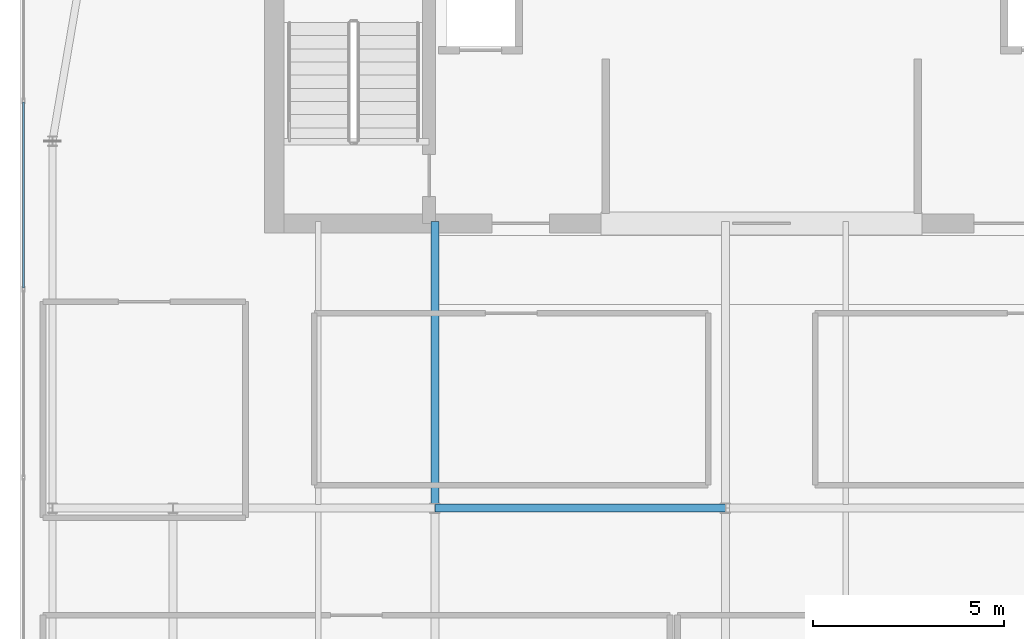
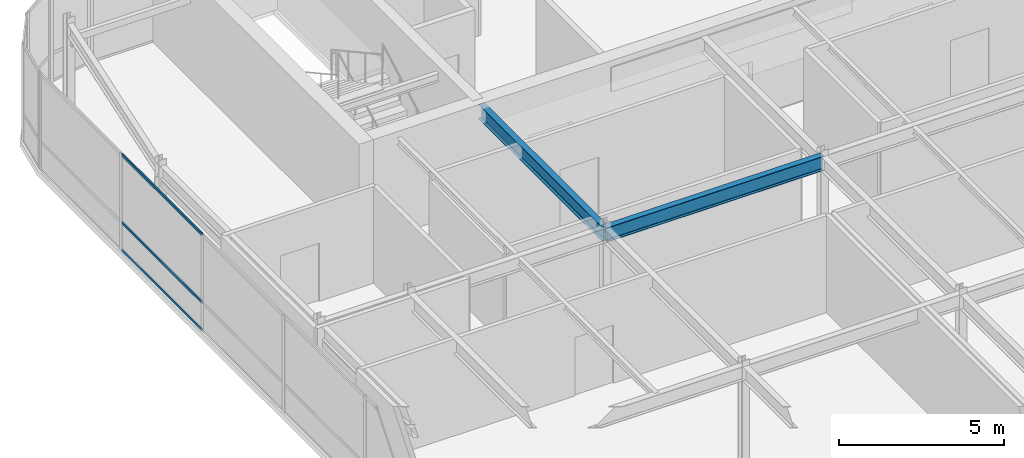
# One storey, part 18 of 36: 3 members, 2 beams, 1 element without a shape of its own.
"""IFC4 building model written with IfcOpenShell, lengths in metres."""

import ifcopenshell
import ifcopenshell.guid

model = None  # the IFC model being written
_history = None  # IfcOwnerHistory: only IFC2X3 demands one
_inside = {}  # id of a spatial element -> (the spatial element, [elements in it])
_under = {}  # id of a project, library or spatial element -> (it, [spatial elements below it])
_declared = {}  # id of a project -> (the project, [libraries it declares])
_typed = {}  # id of a type object -> (the type object, [elements of that type])
_made_of = {}  # id of a material, layer set ... -> (it, [elements and type objects made of it])


def new_model(schema):
    """Start an empty IFC model of exactly this schema.

    Asked for "IFC4X3", IfcOpenShell would pick the latest addendum, in which some entities
    have other attributes; the version numbers below select the first issue.
    IFC2X3 requires an IfcOwnerHistory on every rooted entity: one is made here for all.
    """
    global model, _history
    if schema == "IFC4X3":
        model = ifcopenshell.file(schema_version=(4, 3, 0, 0))
    else:
        model = ifcopenshell.file(schema=schema)
    _inside.clear()
    _under.clear()
    _declared.clear()
    _typed.clear()
    _made_of.clear()
    _history = None
    if model.schema == "IFC2X3":
        org = make("IfcOrganization", Name="unknown")
        user = make(
            "IfcPersonAndOrganization",
            ThePerson=make("IfcPerson", FamilyName="unknown"),
            TheOrganization=org,
        )
        app = make(
            "IfcApplication",
            ApplicationDeveloper=org,
            Version="unknown",
            ApplicationFullName="unknown",
            ApplicationIdentifier="unknown",
        )
        _history = make(
            "IfcOwnerHistory",
            OwningUser=user,
            OwningApplication=app,
            ChangeAction="ADDED",
            CreationDate=0,
        )
    return model


def make(cls, **values):
    """One entity of the class cls with the attributes given. An attribute that is None is left unset."""
    return model.create_entity(
        cls, **{name: value for name, value in values.items() if value is not None}
    )


def rooted(cls, **values):
    """An entity with a GlobalId (a new one), such as an element, a storey or a relation."""
    return make(cls, GlobalId=ifcopenshell.guid.new(), OwnerHistory=_history, **values)


def si_unit(unit_type, name, prefix=None):
    """IfcSIUnit, for example si_unit("LENGTHUNIT", "METRE", prefix="MILLI")."""
    return make("IfcSIUnit", UnitType=unit_type, Prefix=prefix, Name=name)


def assignment(units):
    """IfcUnitAssignment: the units of a project."""
    return None if units is None else make("IfcUnitAssignment", Units=units)


def point(xyz):
    """IfcCartesianPoint."""
    return None if xyz is None else make("IfcCartesianPoint", Coordinates=xyz)


def direction(xyz):
    """IfcDirection."""
    return None if xyz is None else make("IfcDirection", DirectionRatios=xyz)


def frame(location, z_axis=None, x_axis=None):
    """IfcAxis2Placement3D, a coordinate frame: its origin and axes. An axis left out is left unset."""
    return make(
        "IfcAxis2Placement3D",
        Location=point(location),
        Axis=direction(z_axis),
        RefDirection=direction(x_axis),
    )


def frame_2d(location, x_axis=None):
    """IfcAxis2Placement2D, a coordinate frame in the plane: its origin and x axis."""
    return make(
        "IfcAxis2Placement2D", Location=point(location), RefDirection=direction(x_axis)
    )


def origin():
    """The frame at (0, 0, 0) with its axes left unset."""
    return frame((0.0, 0.0, 0.0))


def origin_2d():
    """The frame at (0, 0) in the plane with its x axis left unset."""
    return frame_2d((0.0, 0.0))


def place(relative_to, where):
    """IfcLocalPlacement: puts the frame where relative to a parent placement (None: the world)."""
    return make(
        "IfcLocalPlacement", PlacementRelTo=relative_to, RelativePlacement=where
    )


def context(
    kind, dimensions, precision=None, world=None, true_north=None, identifier=None
):
    """IfcGeometricRepresentationContext, for example the 3D "Model" context."""
    return make(
        "IfcGeometricRepresentationContext",
        ContextIdentifier=identifier,
        ContextType=kind,
        CoordinateSpaceDimension=dimensions,
        Precision=precision,
        WorldCoordinateSystem=world,
        TrueNorth=true_north,
    )


def subcontext(parent, identifier, kind, view, scale=None):
    """IfcGeometricRepresentationSubContext, for example "Body" below "Model"."""
    return make(
        "IfcGeometricRepresentationSubContext",
        ContextIdentifier=identifier,
        ContextType=kind,
        ParentContext=parent,
        TargetScale=scale,
        TargetView=view,
    )


def project(units=None, contexts=None):
    """IfcProject with its units and contexts."""
    return rooted(
        "IfcProject",
        Name="project",
        RepresentationContexts=contexts,
        UnitsInContext=assignment(units),
    )


def spatial(cls, under=None, at=None, **own):
    """A site, building, storey or space (cls), placed at a placement, below another one or the project."""
    s = rooted(cls, ObjectPlacement=at, **own)
    if under is not None:
        _under.setdefault(under.id(), (under, []))[1].append(s)
    return s


def profile(cls, at=None, kind="AREA", **sizes):
    """A parametric profile (cls). Its sizes go by their IFC names, for example OverallWidth=200.0."""
    return make(cls, ProfileType=kind, Position=at, **sizes)


def hollow_rectangle(**sizes):
    """IfcRectangleHollowProfileDef."""
    return profile("IfcRectangleHollowProfileDef", **sizes)


def i_section(**sizes):
    """IfcIShapeProfileDef."""
    return profile("IfcIShapeProfileDef", **sizes)


def extrude(swept, where, along, depth):
    """IfcExtrudedAreaSolid: the profile swept, set in the frame where, extruded along a direction by depth."""
    return make(
        "IfcExtrudedAreaSolid",
        SweptArea=swept,
        Position=where,
        ExtrudedDirection=direction(along),
        Depth=depth,
    )


def shape(context_of_items, identifier, shape_type, items):
    """IfcShapeRepresentation: the items that make up one representation, for example the "Body"."""
    return make(
        "IfcShapeRepresentation",
        ContextOfItems=context_of_items,
        RepresentationIdentifier=identifier,
        RepresentationType=shape_type,
        Items=items,
    )


def source(mapping_origin, context_of_items, identifier, shape_type, items):
    """IfcRepresentationMap: a shape defined once, which mapped items show again and again."""
    return make(
        "IfcRepresentationMap",
        MappingOrigin=mapping_origin,
        MappedRepresentation=shape(context_of_items, identifier, shape_type, items),
    )


def transform(
    local_origin,
    x_axis=None,
    y_axis=None,
    z_axis=None,
    scale=None,
    scale2=None,
    scale3=None,
    uniform=True,
):
    """IfcCartesianTransformationOperator3D, or its non-uniform kind. x_axis, y_axis, z_axis: its Axis1, 2, 3."""
    if uniform:
        return make(
            "IfcCartesianTransformationOperator3D",
            Axis1=direction(x_axis),
            Axis2=direction(y_axis),
            LocalOrigin=point(local_origin),
            Scale=scale,
            Axis3=direction(z_axis),
        )
    return make(
        "IfcCartesianTransformationOperator3DnonUniform",
        Axis1=direction(x_axis),
        Axis2=direction(y_axis),
        LocalOrigin=point(local_origin),
        Scale=scale,
        Axis3=direction(z_axis),
        Scale2=scale2,
        Scale3=scale3,
    )


def mapped(mapping_source, mapping_target):
    """IfcMappedItem: shows the shape of a source again, moved by a transform."""
    return make(
        "IfcMappedItem", MappingSource=mapping_source, MappingTarget=mapping_target
    )


def material(Name=None, Category=None):
    """IfcMaterial."""
    return make("IfcMaterial", Name=Name, Category=Category)


def layer(
    of_material, thickness, ventilated=None, Name=None, Category=None, Priority=None
):
    """IfcMaterialLayer: one layer of a wall or slab, of a material (None: an air gap)."""
    return make(
        "IfcMaterialLayer",
        Material=of_material,
        LayerThickness=thickness,
        IsVentilated=ventilated,
        Name=Name,
        Category=Category,
        Priority=Priority,
    )


def layer_set(layers, Name=None):
    """IfcMaterialLayerSet."""
    return make("IfcMaterialLayerSet", MaterialLayers=layers, LayerSetName=Name)


def material_profile(
    of_material, cross_section, Name=None, Category=None, Priority=None
):
    """IfcMaterialProfile: a cross section and its material."""
    return make(
        "IfcMaterialProfile",
        Name=Name,
        Material=of_material,
        Profile=cross_section,
        Priority=Priority,
        Category=Category,
    )


def profile_set(profiles, Name=None, composite=None):
    """IfcMaterialProfileSet."""
    return make(
        "IfcMaterialProfileSet",
        Name=Name,
        MaterialProfiles=profiles,
        CompositeProfile=composite,
    )


def made_of(thing, what):
    """Note that an element or type object is made of a material, layer set ...; save() writes the relation."""
    if what is not None:
        _made_of.setdefault(what.id(), (what, []))[1].append(thing)
    return thing


def type_object(cls, material=None, **own):
    """A type object (cls), such as IfcWallType, which elements share."""
    return made_of(rooted(cls, **own), material)


def type_shapes(of_type, sources):
    """Give a type object the sources (RepresentationMaps) that its elements show as mapped items."""
    of_type.RepresentationMaps = sources


def element(
    cls,
    number,
    at=None,
    inside=None,
    cuts=None,
    type_object=None,
    material=None,
    context=None,
    identifier="Body",
    shape_type=None,
    held_by="IfcProductDefinitionShape",
    body=None,
    shapes=None,
    **own,
):
    """One element of the class cls, such as IfcWall. Its Tag is "e" and its number.

    at: its placement. inside: the storey or other place that contains it. cuts: it is an
    opening in that element (IfcRelVoidsElement). A single representation is given by context,
    identifier, shape_type and body (its items); several are given by shapes. held_by: the class
    of the entity that holds the representations. save() writes the other relations.
    """
    e = rooted(cls, Tag="e%d" % number, ObjectPlacement=at, **own)
    if body is not None:
        shapes = [shape(context, identifier, shape_type, body)]
    if shapes is not None:
        e.Representation = make(held_by, Representations=shapes)
    if inside is not None:
        _inside.setdefault(inside.id(), (inside, []))[1].append(e)
    if cuts is not None:
        rooted(
            "IfcRelVoidsElement", RelatingBuildingElement=cuts, RelatedOpeningElement=e
        )
    if type_object is not None:
        _typed.setdefault(type_object.id(), (type_object, []))[1].append(e)
    return made_of(e, material)


def aggregate(whole, parts):
    """IfcRelAggregates: a whole, such as a stair, and the parts it consists of."""
    return rooted("IfcRelAggregates", RelatingObject=whole, RelatedObjects=parts)


def save(model, path):
    """Write the relations noted so far, then the file.

    IfcRelAggregates (storeys below a building ...), IfcRelContainedInSpatialStructure (elements
    in a storey), IfcRelDefinesByType, IfcRelAssociatesMaterial and IfcRelDeclares: one each for
    every whole, place, type object, material and project.
    """
    for whole, parts in _under.values():
        aggregate(whole, parts)
    for where, things in _inside.values():
        rooted(
            "IfcRelContainedInSpatialStructure",
            RelatedElements=things,
            RelatingStructure=where,
        )
    for kind, things in _typed.values():
        rooted("IfcRelDefinesByType", RelatedObjects=things, RelatingType=kind)
    for what, things in _made_of.values():
        rooted("IfcRelAssociatesMaterial", RelatedObjects=things, RelatingMaterial=what)
    for by, libraries in _declared.values():
        rooted("IfcRelDeclares", RelatingContext=by, RelatedDefinitions=libraries)
    model.write(path)


model = new_model("IFC4")

# Units and contexts
model_context = context("Model", 3, precision=1e-05, world=origin(), true_north=direction((0.0, 1.0)))
body_context = subcontext(model_context, "Body", "Model", "MODEL_VIEW")
ifc_project = project(units=[si_unit("LENGTHUNIT", "METRE"), si_unit("AREAUNIT", "SQUARE_METRE"), si_unit("VOLUMEUNIT", "CUBIC_METRE"), si_unit("PLANEANGLEUNIT", "RADIAN"), si_unit("MASSUNIT", "GRAM", prefix="KILO")], contexts=[model_context])

# Site, building, storey
site_placement = place(None, origin())
site = spatial("IfcSite", under=ifc_project, at=site_placement, CompositionType="ELEMENT")
building_placement = place(site_placement, origin())
building = spatial("IfcBuilding", under=site, at=building_placement, Name="Tolvann Quenvar Hotel", CompositionType="ELEMENT")
storey_placement = place(building_placement, frame((0.0, 0.0, 298.550048828125)))
storey = spatial("IfcBuildingStorey", under=building, at=storey_placement, Name="L79", CompositionType="ELEMENT", Elevation=298.550048828125)

# Beams
ifc_material_1 = material(Name="Steel Grade 350", Category="steel")
ifc_material_profile_1 = material_profile(ifc_material_1, i_section(OverallWidth=0.208984375, OverallDepth=0.532958984375, WebThickness=0.01025390625, FlangeThickness=0.015625, FilletRadius=0.013916015625, at=origin_2d()), Name="530UB92")
ifc_profile_set_1 = profile_set([ifc_material_profile_1], Name="Steel Grade 350")
beam_type = type_object("IfcBeamType", Name="BM_GIRD_530UB92", PredefinedType="BEAM", material=ifc_profile_set_1)
shared_shape_1 = source(origin(), body_context, "Body", "SweptSolid", [
    extrude(i_section(OverallWidth=0.208984375, OverallDepth=0.532958984375, WebThickness=0.01025390625, FlangeThickness=0.015625, FilletRadius=0.013916015625, at=origin_2d()), origin(), (0.0, 0.0, 1.0), 7.60009765625),
])
beam_1_placement = place(storey_placement, frame((14.449951171875, 24.39990234375, 3.3134765625), z_axis=(1.0, 0.0, 0.0), x_axis=(0.0, 1.0, 0.0)))
element("IfcBeam", 1, at=beam_1_placement, inside=storey, type_object=beam_type, Name="BM-L79-EW-5-D5-E5", PredefinedType="BEAM", context=body_context, shape_type="MappedRepresentation", body=[
    mapped(shared_shape_1, transform((0.0, 0.0, 0.0), x_axis=(1.0, 0.0, 0.0), y_axis=(0.0, 1.0, 0.0), z_axis=(0.0, 0.0, 1.0), scale=1.0)),
])
shared_shape_2 = source(origin(), body_context, "Body", "SweptSolid", [
    extrude(i_section(OverallWidth=0.208984375, OverallDepth=0.532958984375, WebThickness=0.01025390625, FlangeThickness=0.015625, FilletRadius=0.013916015625, at=origin_2d()), origin(), (0.0, 0.0, 1.0), 7.5),
])
type_shapes(beam_type, [shared_shape_1, shared_shape_2])
beam_2_placement = place(storey_placement, frame((14.449951171875, 24.39990234375, 3.3134765625), z_axis=(0.0, 1.0, 0.0), x_axis=(-1.0, 0.0, 0.0)))
element("IfcBeam", 2, at=beam_2_placement, inside=storey, type_object=beam_type, Name="BM-L79-CORE-D5", PredefinedType="BEAM", context=body_context, shape_type="MappedRepresentation", body=[
    mapped(shared_shape_2, transform((0.0, 0.0, 0.0), x_axis=(1.0, 0.0, 0.0), y_axis=(0.0, 1.0, 0.0), z_axis=(0.0, 0.0, 1.0), scale=1.0)),
])

# Curtain wall, members
ifc_material_2 = material(Name="Thermally broken anodised architectural aluminium 6063-T6 and laminated low-E glass", Category="aluminium")
ifc_layer = layer(ifc_material_2, 0.179931640625)
ifc_layer_set = layer_set([ifc_layer], Name="Thermally broken anodised architectural aluminium 6063-T6 and laminated low-E glass")
curtain_wall_type = type_object("IfcCurtainWallType", Name="CW_SYS_LANT_06", PredefinedType="USERDEFINED", material=ifc_layer_set)
curtain_wall_placement = place(storey_placement, origin())
curtain_wall = element("IfcCurtainWall", 3, at=curtain_wall_placement, inside=storey, type_object=curtain_wall_type, Name="Curtain Wall CW-LANT-06 (CWR-L79-E19)", ObjectType="UNITISED CURTAIN WALL", PredefinedType="USERDEFINED")
ifc_material_3 = material(Name="Anodised architectural aluminium 6063-T6 framing", Category="aluminium")
ifc_material_profile_2 = material_profile(ifc_material_3, hollow_rectangle(XDim=0.050048828125, YDim=0.10009765625, WallThickness=0.0029296875, at=origin_2d()), Name="100x50x3RHS")
ifc_profile_set_2 = profile_set([ifc_material_profile_2], Name="Anodised architectural aluminium 6063-T6 framing")
member_type = type_object("IfcMemberType", Name="CW_TRAN_100x50", PredefinedType="USERDEFINED", material=ifc_profile_set_2)
shared_shape_3 = source(origin(), body_context, "Body", "SweptSolid", [
    extrude(hollow_rectangle(XDim=0.050048828125, YDim=0.10009765625, WallThickness=0.0029296875, at=origin_2d()), origin(), (0.0, 0.0, 1.0), 4.862548828125),
])
type_shapes(member_type, [shared_shape_3])
member_1_placement = place(storey_placement, frame((3.68994140625, 35.022705078125, 0.02490234375), z_axis=(0.0, -1.0, 0.0), x_axis=(1.0, 0.0, 0.0)))
member_1 = element("IfcMember", 4, at=member_1_placement, type_object=member_type, Name="CW-LANT-06 transom 2.1", ObjectType="TRANSOM", PredefinedType="USERDEFINED", context=body_context, shape_type="MappedRepresentation", body=[
    mapped(shared_shape_3, transform((0.0, 0.0, 0.0), x_axis=(1.0, 0.0, 0.0), y_axis=(0.0, 1.0, 0.0), z_axis=(0.0, 0.0, 1.0), scale=1.0)),
])
member_2_placement = place(storey_placement, frame((3.68994140625, 35.022705078125, 1.050048828125), z_axis=(0.0, -1.0, 0.0), x_axis=(1.0, 0.0, 0.0)))
member_2 = element("IfcMember", 5, at=member_2_placement, type_object=member_type, Name="CW-LANT-06 transom 2.2", ObjectType="TRANSOM", PredefinedType="USERDEFINED", context=body_context, shape_type="MappedRepresentation", body=[
    mapped(shared_shape_3, transform((0.0, 0.0, 0.0), x_axis=(1.0, 0.0, 0.0), y_axis=(0.0, 1.0, 0.0), z_axis=(0.0, 0.0, 1.0), scale=1.0)),
])
member_3_placement = place(storey_placement, frame((3.68994140625, 35.022705078125, 3.554931640625), z_axis=(0.0, -1.0, 0.0), x_axis=(1.0, 0.0, 0.0)))
member_3 = element("IfcMember", 6, at=member_3_placement, type_object=member_type, Name="CW-LANT-06 transom 2.3", ObjectType="TRANSOM", PredefinedType="USERDEFINED", context=body_context, shape_type="MappedRepresentation", body=[
    mapped(shared_shape_3, transform((0.0, 0.0, 0.0), x_axis=(1.0, 0.0, 0.0), y_axis=(0.0, 1.0, 0.0), z_axis=(0.0, 0.0, 1.0), scale=1.0)),
])
aggregate(curtain_wall, [member_1, member_2, member_3])

save(model, "model.ifc")
